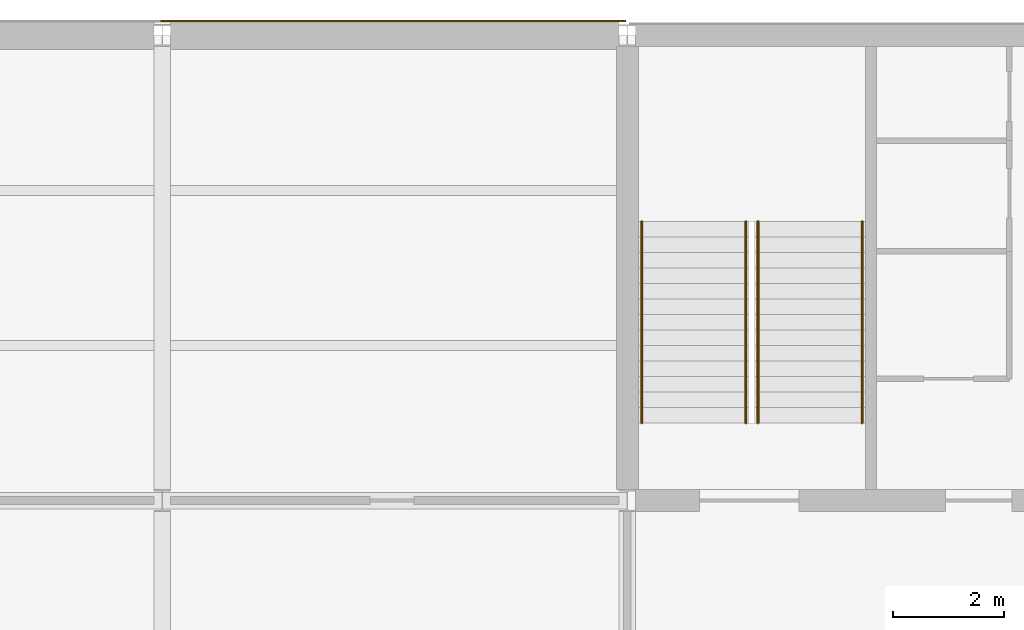
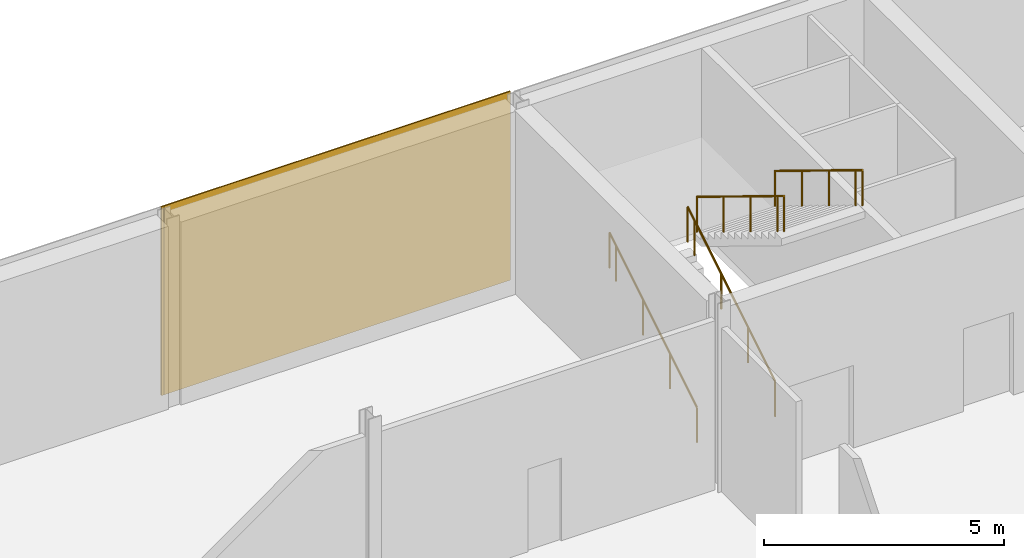
# One storey, part 43 of 57: 4 railings, 2 coverings.
"""IFC4 building model written with IfcOpenShell, lengths in metres."""

from ifc_helpers import new_model, si_unit, direction, frame, origin, origin_2d, place, context, subcontext, project, spatial, rectangle, circle, extrude, material, layer, layer_set, type_object, element, save


model = new_model("IFC4")

# Units and contexts
model_context = context("Model", 3, precision=1e-05, world=origin(), true_north=direction((0.0, 1.0)))
body_context = subcontext(model_context, "Body", "Model", "MODEL_VIEW")
ifc_project = project(units=[si_unit("LENGTHUNIT", "METRE"), si_unit("AREAUNIT", "SQUARE_METRE"), si_unit("VOLUMEUNIT", "CUBIC_METRE"), si_unit("PLANEANGLEUNIT", "RADIAN"), si_unit("MASSUNIT", "GRAM", prefix="KILO")], contexts=[model_context])

# Site, building, storey
site_placement = place(None, origin())
site = spatial("IfcSite", under=ifc_project, at=site_placement, CompositionType="ELEMENT")
building_placement = place(site_placement, origin())
building = spatial("IfcBuilding", under=site, at=building_placement, Name="Galleria Vessillo Department Store", CompositionType="ELEMENT")
storey_placement = place(building_placement, frame((0.0, 0.0, 21.0)))
storey = spatial("IfcBuildingStorey", under=building, at=storey_placement, Name="L04", CompositionType="ELEMENT", Elevation=21.0)

# Coverings
ifc_material_1 = material(Name="Lime plaster (intonaco) ochre")
ifc_layer = layer(ifc_material_1, 0.030029296875)
ifc_layer_set = layer_set([ifc_layer], Name="Lime plaster (intonaco) ochre")
covering_type = type_object("IfcCoveringType", Name="Lime plaster render 30 mm", PredefinedType="CLADDING", material=ifc_layer_set)
covering_1_placement = place(storey_placement, frame((54.60009765625, 63.264892578125, 0.0), z_axis=(0.0, 0.0, 1.0), x_axis=(1.0, 0.0, 0.0)))
element("IfcCovering", 1, at=covering_1_placement, inside=storey, type_object=covering_type, Name="Wall cladding S-PN-L04-05", PredefinedType="CLADDING", context=body_context, shape_type="SweptSolid", body=[
    extrude(rectangle(XDim=8.34033203125, YDim=0.030029296875, at=origin_2d()), origin(), (0.0, 0.0, 1.0), 4.800048828125),
])
covering_2_placement = place(storey_placement, frame((50.39990234375, 63.264892578125, 0.0), z_axis=(0.0, 0.0, 1.0), x_axis=(1.0, 0.0, 0.0)))
element("IfcCovering", 2, at=covering_2_placement, inside=storey, type_object=covering_type, Name="Joint block Wall cladding S-PN-L04-04", PredefinedType="CLADDING", context=body_context, shape_type="SweptSolid", body=[
    extrude(rectangle(XDim=0.059814453125, YDim=0.030029296875, at=origin_2d()), origin(), (0.0, 0.0, 1.0), 4.800048828125),
])

# Railings
ifc_material_2 = material(Name="Stainless steel tube", Category="steel")
railing_type = type_object("IfcRailingType", Name="Stair handrail steel tube 48 mm", PredefinedType="HANDRAIL", material=ifc_material_2)
for number, where, name in (
    (3, (59.06005859375, 56.0, 0.17138671875), "Handrail ST11 L04 flight 1A"),
    (4, (60.93994140625, 56.0, 0.17138671875), "Handrail ST11 L04 flight 1B"),
):
    element("IfcRailing", number, at=place(storey_placement, frame(where)), inside=storey, type_object=railing_type, Name=name, PredefinedType="HANDRAIL", context=body_context, shape_type="SweptSolid", body=[
        extrude(circle(Radius=0.02392578125, at=origin_2d()), frame((0.0, 0.0, 0.89599609375), z_axis=(0.0, 0.852849614702, 0.52215661894), x_axis=(-1.0, 0.0, 0.0)), (0.0, 0.0, 1.0), 1.3134765625),
        extrude(circle(Radius=0.02392578125, at=origin_2d()), frame((0.0, 1.1201171875, 1.58154296875), z_axis=(0.0, 0.852798921012, 0.522239409008), x_axis=(-1.0, 0.0, 0.0)), (0.0, 0.0, 1.0), 1.313232421875),
        extrude(circle(Radius=0.02392578125, at=origin_2d()), frame((0.0, 2.239990234375, 2.267578125), z_axis=(0.0, 0.852932391421, 0.522021393877), x_axis=(-1.0, 0.0, 0.0)), (0.0, 0.0, 1.0), 1.313232421875),
        extrude(circle(Radius=0.02392578125, at=origin_2d()), frame((0.0, 3.360107421875, 2.953125), z_axis=(0.0, 0.852729557261, 0.522352660731), x_axis=(-1.0, 0.0, 0.0)), (0.0, 0.0, 1.0), 0.328125),
        extrude(circle(Radius=0.02099609375, at=origin_2d()), origin(), (0.0, 0.0, 1.0), 0.871826171875),
        extrude(circle(Radius=0.02099609375, at=origin_2d()), frame((0.0, 1.1201171875, 0.685791015625)), (0.0, 0.0, 1.0), 0.871826171875),
        extrude(circle(Radius=0.02099609375, at=origin_2d()), frame((0.0, 2.239990234375, 1.37158203125)), (0.0, 0.0, 1.0), 0.871826171875),
        extrude(circle(Radius=0.02099609375, at=origin_2d()), frame((0.0, 3.360107421875, 2.05712890625)), (0.0, 0.0, 1.0), 0.871826171875),
        extrude(circle(Radius=0.02099609375, at=origin_2d()), frame((0.0, 3.639892578125, 2.228515625)), (0.0, 0.0, 1.0), 0.871826171875),
    ])
for number, where, name in (
    (5, (63.0400390625, 59.639892578125, 2.5712890625), "Handrail ST11 L04 flight 2A"),
    (6, (61.16015625, 59.639892578125, 2.5712890625), "Handrail ST11 L04 flight 2B"),
):
    element("IfcRailing", number, at=place(storey_placement, frame(where)), inside=storey, type_object=railing_type, Name=name, PredefinedType="HANDRAIL", context=body_context, shape_type="SweptSolid", body=[
        extrude(circle(Radius=0.02392578125, at=origin_2d()), frame((0.0, 0.0, 0.89599609375), z_axis=(0.0, -0.852849614702, 0.52215661894), x_axis=(1.0, 0.0, 0.0)), (0.0, 0.0, 1.0), 1.3134765625),
        extrude(circle(Radius=0.02392578125, at=origin_2d()), frame((0.0, -1.1201171875, 1.58154296875), z_axis=(0.0, -0.852798921012, 0.522239409008), x_axis=(1.0, 0.0, 0.0)), (0.0, 0.0, 1.0), 1.313232421875),
        extrude(circle(Radius=0.02392578125, at=origin_2d()), frame((0.0, -2.239990234375, 2.267578125), z_axis=(0.0, -0.852932391421, 0.522021393877), x_axis=(1.0, 0.0, 0.0)), (0.0, 0.0, 1.0), 1.313232421875),
        extrude(circle(Radius=0.02392578125, at=origin_2d()), frame((0.0, -3.360107421875, 2.953125), z_axis=(0.0, -0.852729557261, 0.522352660731), x_axis=(1.0, 0.0, 0.0)), (0.0, 0.0, 1.0), 0.328125),
        extrude(circle(Radius=0.02099609375, at=origin_2d()), origin(), (0.0, 0.0, 1.0), 0.871826171875),
        extrude(circle(Radius=0.02099609375, at=origin_2d()), frame((0.0, -1.1201171875, 0.685791015625)), (0.0, 0.0, 1.0), 0.871826171875),
        extrude(circle(Radius=0.02099609375, at=origin_2d()), frame((0.0, -2.239990234375, 1.37158203125)), (0.0, 0.0, 1.0), 0.871826171875),
        extrude(circle(Radius=0.02099609375, at=origin_2d()), frame((0.0, -3.360107421875, 2.05712890625)), (0.0, 0.0, 1.0), 0.871826171875),
        extrude(circle(Radius=0.02099609375, at=origin_2d()), frame((0.0, -3.639892578125, 2.228515625)), (0.0, 0.0, 1.0), 0.871826171875),
    ])

save(model, "model.ifc")
